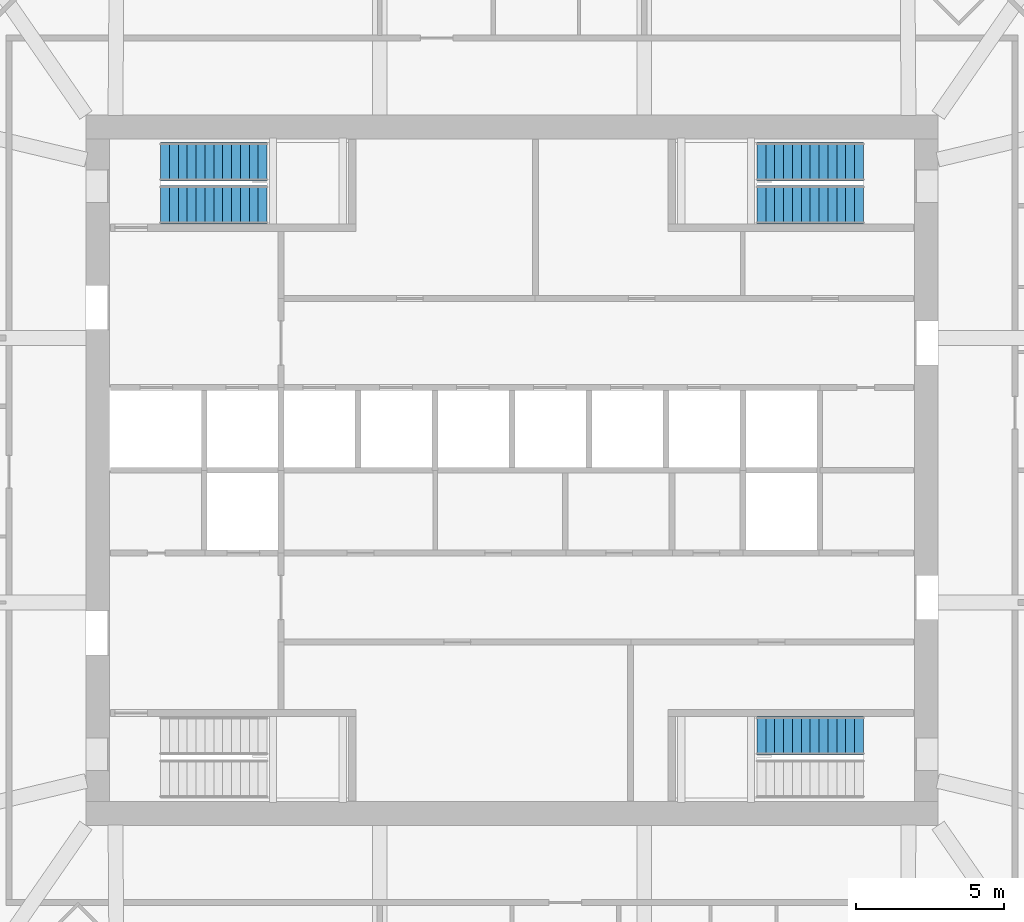
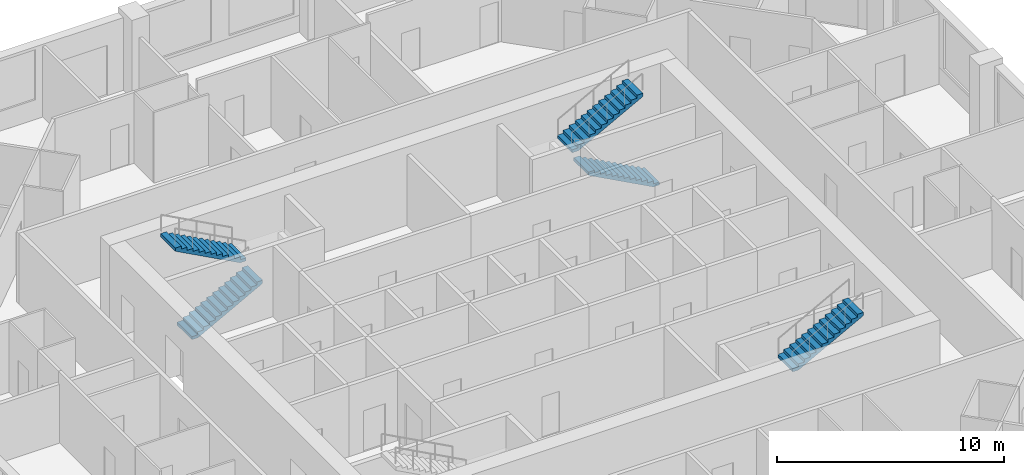
# One storey, part 11 of 13: 5 stair flights, 3 elements without a shape of their own.
"""IFC4 building model written with IfcOpenShell, lengths in metres."""

from ifc_helpers import new_model, si_unit, direction, frame, origin, place, context, subcontext, project, spatial, polyline, outline, extrude, material, type_object, element, aggregate, save


model = new_model("IFC4")

# Units and contexts
model_context = context("Model", 3, precision=1e-05, world=origin(), true_north=direction((0.0, 1.0)))
body_context = subcontext(model_context, "Body", "Model", "MODEL_VIEW")
ifc_project = project(units=[si_unit("LENGTHUNIT", "METRE"), si_unit("AREAUNIT", "SQUARE_METRE"), si_unit("VOLUMEUNIT", "CUBIC_METRE"), si_unit("PLANEANGLEUNIT", "RADIAN"), si_unit("MASSUNIT", "GRAM", prefix="KILO")], contexts=[model_context])

# Site, building, storey
site_placement = place(None, origin())
site = spatial("IfcSite", under=ifc_project, at=site_placement, CompositionType="ELEMENT")
building_placement = place(site_placement, origin())
building = spatial("IfcBuilding", under=site, at=building_placement, Name="Msitu Wima Residences", CompositionType="ELEMENT")
storey_placement = place(building_placement, frame((0.0, 0.0, 148.5)))
storey = spatial("IfcBuildingStorey", under=building, at=storey_placement, Name="L34", CompositionType="ELEMENT", Elevation=148.5)

# Stair, stair flights
ifc_material = material(Name="Concrete C40/50", Category="concrete")
stair_type = type_object("IfcStairType", Name="Exit stair ES1615-130", PredefinedType="HALF_TURN_STAIR", material=ifc_material)
stair_1_placement = place(storey_placement, origin())
stair_1 = element("IfcStair", 1, at=stair_1_placement, inside=storey, type_object=stair_type, Name="Exit stair 1", PredefinedType="HALF_TURN_STAIR")
stair_flight_type = type_object("IfcStairFlightType", Name="Exit stair flight ES1615-130", PredefinedType="STRAIGHT", material=ifc_material)
stair_flight_1_placement = place(storey_placement, frame((-11.875, 8.97509765625, 0.0), z_axis=(0.0, 0.0, 1.0), x_axis=(1.0, 0.0, 0.0)))
stair_flight_1 = element("IfcStairFlight", 2, at=stair_flight_1_placement, type_object=stair_flight_type, Name="S1 flight 1", NumberOfRisers=13, NumberOfTreads=12, PredefinedType="STRAIGHT", RiserHeight=0.161538462, TreadLength=0.3, context=body_context, shape_type="SweptSolid", body=[
    extrude(outline(polyline([(0.0, 0.0), (0.0, 0.16162109375), (0.300048828125, 0.16162109375), (0.300048828125, 0.322998046875), (0.60009765625, 0.322998046875), (0.60009765625, 0.484619140625), (0.89990234375, 0.484619140625), (0.89990234375, 0.646240234375), (1.199951171875, 0.646240234375), (1.199951171875, 0.8076171875), (1.5, 0.8076171875), (1.5, 0.96923828125), (1.800048828125, 0.96923828125), (1.800048828125, 1.130859375), (2.10009765625, 1.130859375), (2.10009765625, 1.292236328125), (2.39990234375, 1.292236328125), (2.39990234375, 1.453857421875), (2.699951171875, 1.453857421875), (2.699951171875, 1.615478515625), (3.0, 1.615478515625), (3.0, 1.77685546875), (3.300048828125, 1.77685546875), (3.300048828125, 1.9384765625), (3.60009765625, 1.9384765625), (3.60009765625, 2.10009765625), (3.60009765625, 1.768310546875), (0.316162109375, 0.0), (0.0, 0.0)])), frame((0.0, 0.64990234375, 0.0), z_axis=(0.0, -1.0, 0.0), x_axis=(1.0, 0.0, 0.0)), (0.0, 0.0, 1.0), 1.300048828125),
])
stair_flight_2_placement = place(storey_placement, frame((-8.27490234375, 10.425048828125, 2.10009765625), z_axis=(0.0, 0.0, 1.0), x_axis=(-1.0, 0.0, 0.0)))
stair_flight_2 = element("IfcStairFlight", 3, at=stair_flight_2_placement, type_object=stair_flight_type, Name="S1 flight 2", NumberOfRisers=13, NumberOfTreads=12, PredefinedType="STRAIGHT", RiserHeight=0.161538462, TreadLength=0.3, context=body_context, shape_type="SweptSolid", body=[
    extrude(outline(polyline([(0.0, 0.0), (0.0, 0.16162109375), (0.300048828125, 0.16162109375), (0.300048828125, 0.322998046875), (0.60009765625, 0.322998046875), (0.60009765625, 0.484619140625), (0.89990234375, 0.484619140625), (0.89990234375, 0.646240234375), (1.199951171875, 0.646240234375), (1.199951171875, 0.8076171875), (1.5, 0.8076171875), (1.5, 0.96923828125), (1.800048828125, 0.96923828125), (1.800048828125, 1.130859375), (2.10009765625, 1.130859375), (2.10009765625, 1.292236328125), (2.39990234375, 1.292236328125), (2.39990234375, 1.453857421875), (2.699951171875, 1.453857421875), (2.699951171875, 1.615478515625), (3.0, 1.615478515625), (3.0, 1.77685546875), (3.300048828125, 1.77685546875), (3.300048828125, 1.9384765625), (3.60009765625, 1.9384765625), (3.60009765625, 2.10009765625), (3.60009765625, 1.768310546875), (0.316162109375, 0.0), (0.0, 0.0)])), frame((0.0, 0.64990234375, 0.0), z_axis=(0.0, -1.0, 0.0), x_axis=(1.0, 0.0, 0.0)), (0.0, 0.0, 1.0), 1.300048828125),
])
aggregate(stair_1, [stair_flight_1, stair_flight_2])

stair_2_placement = place(storey_placement, origin())
stair_2 = element("IfcStair", 4, at=stair_2_placement, inside=storey, type_object=stair_type, Name="Exit stair 3", PredefinedType="HALF_TURN_STAIR")
stair_flight_3_placement = place(storey_placement, frame((11.875, 8.97509765625, 0.0), z_axis=(0.0, 0.0, 1.0), x_axis=(-1.0, 0.0, 0.0)))
stair_flight_3 = element("IfcStairFlight", 5, at=stair_flight_3_placement, type_object=stair_flight_type, Name="S3 flight 1", NumberOfRisers=13, NumberOfTreads=12, PredefinedType="STRAIGHT", RiserHeight=0.161538462, TreadLength=0.3, context=body_context, shape_type="SweptSolid", body=[
    extrude(outline(polyline([(0.0, 0.0), (0.0, 0.16162109375), (0.300048828125, 0.16162109375), (0.300048828125, 0.322998046875), (0.60009765625, 0.322998046875), (0.60009765625, 0.484619140625), (0.89990234375, 0.484619140625), (0.89990234375, 0.646240234375), (1.199951171875, 0.646240234375), (1.199951171875, 0.8076171875), (1.5, 0.8076171875), (1.5, 0.96923828125), (1.800048828125, 0.96923828125), (1.800048828125, 1.130859375), (2.10009765625, 1.130859375), (2.10009765625, 1.292236328125), (2.39990234375, 1.292236328125), (2.39990234375, 1.453857421875), (2.699951171875, 1.453857421875), (2.699951171875, 1.615478515625), (3.0, 1.615478515625), (3.0, 1.77685546875), (3.300048828125, 1.77685546875), (3.300048828125, 1.9384765625), (3.60009765625, 1.9384765625), (3.60009765625, 2.10009765625), (3.60009765625, 1.768310546875), (0.316162109375, 0.0), (0.0, 0.0)])), frame((0.0, 0.64990234375, 0.0), z_axis=(0.0, -1.0, 0.0), x_axis=(1.0, 0.0, 0.0)), (0.0, 0.0, 1.0), 1.300048828125),
])
stair_flight_4_placement = place(storey_placement, frame((8.27490234375, 10.425048828125, 2.10009765625), z_axis=(0.0, 0.0, 1.0), x_axis=(1.0, 0.0, 0.0)))
stair_flight_4 = element("IfcStairFlight", 6, at=stair_flight_4_placement, type_object=stair_flight_type, Name="S3 flight 2", NumberOfRisers=13, NumberOfTreads=12, PredefinedType="STRAIGHT", RiserHeight=0.161538462, TreadLength=0.3, context=body_context, shape_type="SweptSolid", body=[
    extrude(outline(polyline([(0.0, 0.0), (0.0, 0.16162109375), (0.300048828125, 0.16162109375), (0.300048828125, 0.322998046875), (0.60009765625, 0.322998046875), (0.60009765625, 0.484619140625), (0.89990234375, 0.484619140625), (0.89990234375, 0.646240234375), (1.199951171875, 0.646240234375), (1.199951171875, 0.8076171875), (1.5, 0.8076171875), (1.5, 0.96923828125), (1.800048828125, 0.96923828125), (1.800048828125, 1.130859375), (2.10009765625, 1.130859375), (2.10009765625, 1.292236328125), (2.39990234375, 1.292236328125), (2.39990234375, 1.453857421875), (2.699951171875, 1.453857421875), (2.699951171875, 1.615478515625), (3.0, 1.615478515625), (3.0, 1.77685546875), (3.300048828125, 1.77685546875), (3.300048828125, 1.9384765625), (3.60009765625, 1.9384765625), (3.60009765625, 2.10009765625), (3.60009765625, 1.768310546875), (0.316162109375, 0.0), (0.0, 0.0)])), frame((0.0, 0.64990234375, 0.0), z_axis=(0.0, -1.0, 0.0), x_axis=(1.0, 0.0, 0.0)), (0.0, 0.0, 1.0), 1.300048828125),
])
aggregate(stair_2, [stair_flight_3, stair_flight_4])

# Stair, stair flight
stair_3_placement = place(storey_placement, origin())
stair_3 = element("IfcStair", 7, at=stair_3_placement, inside=storey, type_object=stair_type, Name="Exit stair 4", PredefinedType="HALF_TURN_STAIR")
stair_flight_5_placement = place(storey_placement, frame((8.27490234375, -8.97509765625, 2.10009765625), z_axis=(0.0, 0.0, 1.0), x_axis=(1.0, 0.0, 0.0)))
stair_flight_5 = element("IfcStairFlight", 8, at=stair_flight_5_placement, type_object=stair_flight_type, Name="S4 flight 2", NumberOfRisers=13, NumberOfTreads=12, PredefinedType="STRAIGHT", RiserHeight=0.161538462, TreadLength=0.3, context=body_context, shape_type="SweptSolid", body=[
    extrude(outline(polyline([(0.0, 0.0), (0.0, 0.16162109375), (0.300048828125, 0.16162109375), (0.300048828125, 0.322998046875), (0.60009765625, 0.322998046875), (0.60009765625, 0.484619140625), (0.89990234375, 0.484619140625), (0.89990234375, 0.646240234375), (1.199951171875, 0.646240234375), (1.199951171875, 0.8076171875), (1.5, 0.8076171875), (1.5, 0.96923828125), (1.800048828125, 0.96923828125), (1.800048828125, 1.130859375), (2.10009765625, 1.130859375), (2.10009765625, 1.292236328125), (2.39990234375, 1.292236328125), (2.39990234375, 1.453857421875), (2.699951171875, 1.453857421875), (2.699951171875, 1.615478515625), (3.0, 1.615478515625), (3.0, 1.77685546875), (3.300048828125, 1.77685546875), (3.300048828125, 1.9384765625), (3.60009765625, 1.9384765625), (3.60009765625, 2.10009765625), (3.60009765625, 1.768310546875), (0.316162109375, 0.0), (0.0, 0.0)])), frame((0.0, 0.64990234375, 0.0), z_axis=(0.0, -1.0, 0.0), x_axis=(1.0, 0.0, 0.0)), (0.0, 0.0, 1.0), 1.300048828125),
])
aggregate(stair_3, [stair_flight_5])

save(model, "model.ifc")
